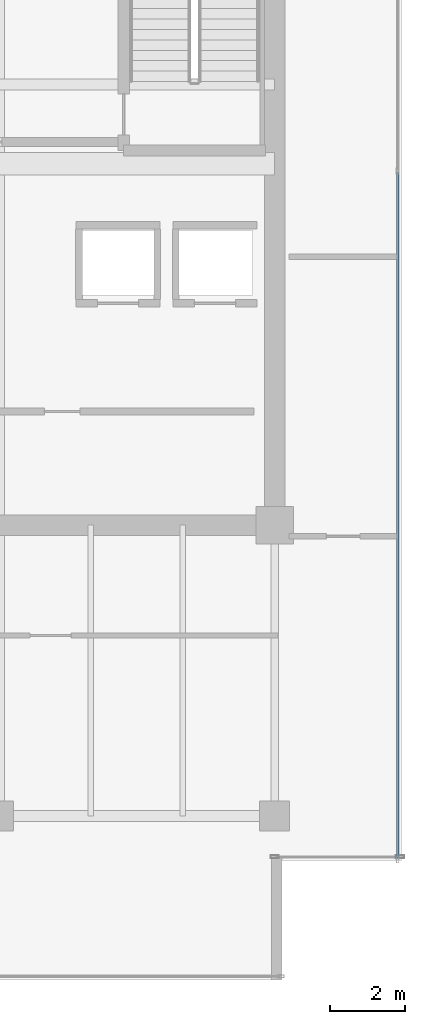
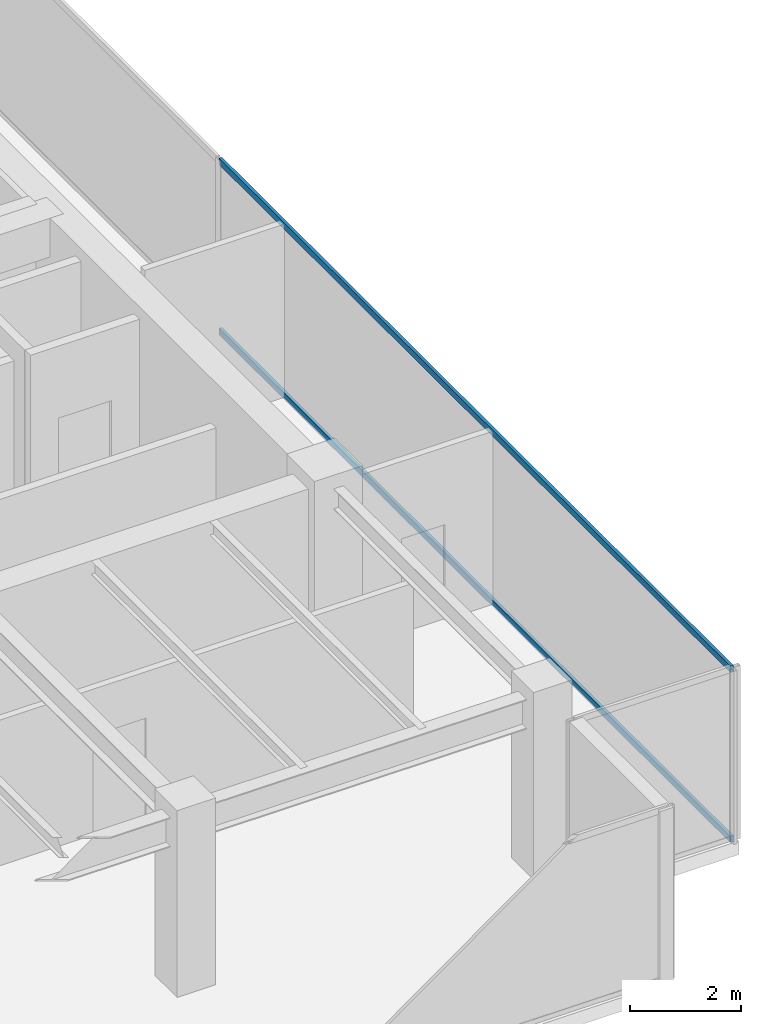
# One storey, part 23 of 33: 2 members, 1 element without a shape of its own.
"""IFC4 building model written with IfcOpenShell, lengths in metres."""

from ifc_helpers import new_model, si_unit, direction, frame, origin, origin_2d, place, context, subcontext, project, spatial, hollow_rectangle, extrude, source, transform, mapped, material, layer, layer_set, material_profile, profile_set, type_object, type_shapes, element, aggregate, save


model = new_model("IFC4")

# Units and contexts
model_context = context("Model", 3, precision=1e-05, world=origin(), true_north=direction((0.0, 1.0)))
body_context = subcontext(model_context, "Body", "Model", "MODEL_VIEW")
ifc_project = project(units=[si_unit("LENGTHUNIT", "METRE"), si_unit("AREAUNIT", "SQUARE_METRE"), si_unit("VOLUMEUNIT", "CUBIC_METRE"), si_unit("PLANEANGLEUNIT", "RADIAN"), si_unit("MASSUNIT", "GRAM", prefix="KILO")], contexts=[model_context])

# Site, building, storey
site_placement = place(None, origin())
site = spatial("IfcSite", under=ifc_project, at=site_placement, CompositionType="ELEMENT")
building_placement = place(site_placement, origin())
building = spatial("IfcBuilding", under=site, at=building_placement, Name="Haelvirn Gate Laboratories", CompositionType="ELEMENT")
storey_placement = place(building_placement, frame((0.0, 0.0, 217.800048828125)))
storey = spatial("IfcBuildingStorey", under=building, at=storey_placement, Name="L52", CompositionType="ELEMENT", Elevation=217.800048828125)

# Curtain wall, members
ifc_material_1 = material(Name="Anodised bronze unitised aluminium & triple low-E glass", Category="aluminium")
ifc_layer = layer(ifc_material_1, 0.176025390625, Name="CW-SYS-4")
ifc_layer_set = layer_set([ifc_layer], Name="Anodised bronze unitised aluminium & triple low-E glass")
curtain_wall_type = type_object("IfcCurtainWallType", Name="CW-SYS-4", PredefinedType="NOTDEFINED", material=ifc_layer_set)
curtain_wall_placement = place(storey_placement, origin())
curtain_wall = element("IfcCurtainWall", 1, at=curtain_wall_placement, inside=storey, type_object=curtain_wall_type, Name="L52 Unitised Curtain Wall CW-L52-P0-E07", PredefinedType="NOTDEFINED")
ifc_material_2 = material(Name="Extruded aluminium 6063-T6 (anodised bronze)", Category="aluminium")
ifc_material_profile = material_profile(ifc_material_2, hollow_rectangle(XDim=0.06494140625, YDim=0.139892578125, WallThickness=0.00390625, at=origin_2d()), Name="CWT-140x65x4")
ifc_profile_set = profile_set([ifc_material_profile], Name="Extruded aluminium 6063-T6 (anodised bronze)")
member_type = type_object("IfcMemberType", Name="CWT-T140", PredefinedType="USERDEFINED", material=ifc_profile_set)
shared_shape = source(origin(), body_context, "Body", "SweptSolid", [
    extrude(hollow_rectangle(XDim=0.06494140625, YDim=0.139892578125, WallThickness=0.00390625, at=origin_2d()), origin(), (0.0, 0.0, 1.0), 18.394775390625),
])
type_shapes(member_type, [shared_shape])
member_1_placement = place(storey_placement, frame((70.699951171875, 5.8701171875, 0.032470703125), z_axis=(0.0, 1.0, 0.0), x_axis=(-1.0, 0.0, 0.0)))
member_1 = element("IfcMember", 2, at=member_1_placement, type_object=member_type, Name="CW4 transom 1.1", ObjectType="TRANSOM", PredefinedType="USERDEFINED", context=body_context, shape_type="MappedRepresentation", body=[
    mapped(shared_shape, transform((0.0, 0.0, 0.0), scale=1.0)),
])
member_2_placement = place(storey_placement, frame((70.699951171875, 5.8701171875, 3.767333984375), z_axis=(0.0, 1.0, 0.0), x_axis=(-1.0, 0.0, 0.0)))
member_2 = element("IfcMember", 3, at=member_2_placement, type_object=member_type, Name="CW4 transom 1.2", ObjectType="TRANSOM", PredefinedType="USERDEFINED", context=body_context, shape_type="MappedRepresentation", body=[
    mapped(shared_shape, transform((0.0, 0.0, 0.0), scale=1.0)),
])
aggregate(curtain_wall, [member_1, member_2])

save(model, "model.ifc")
